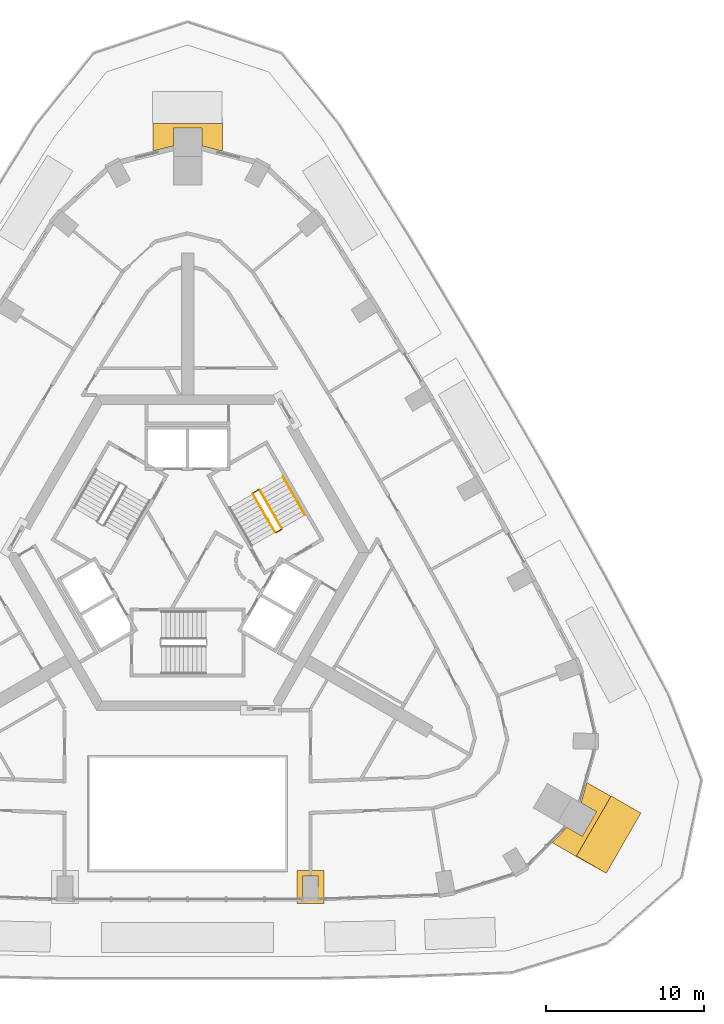
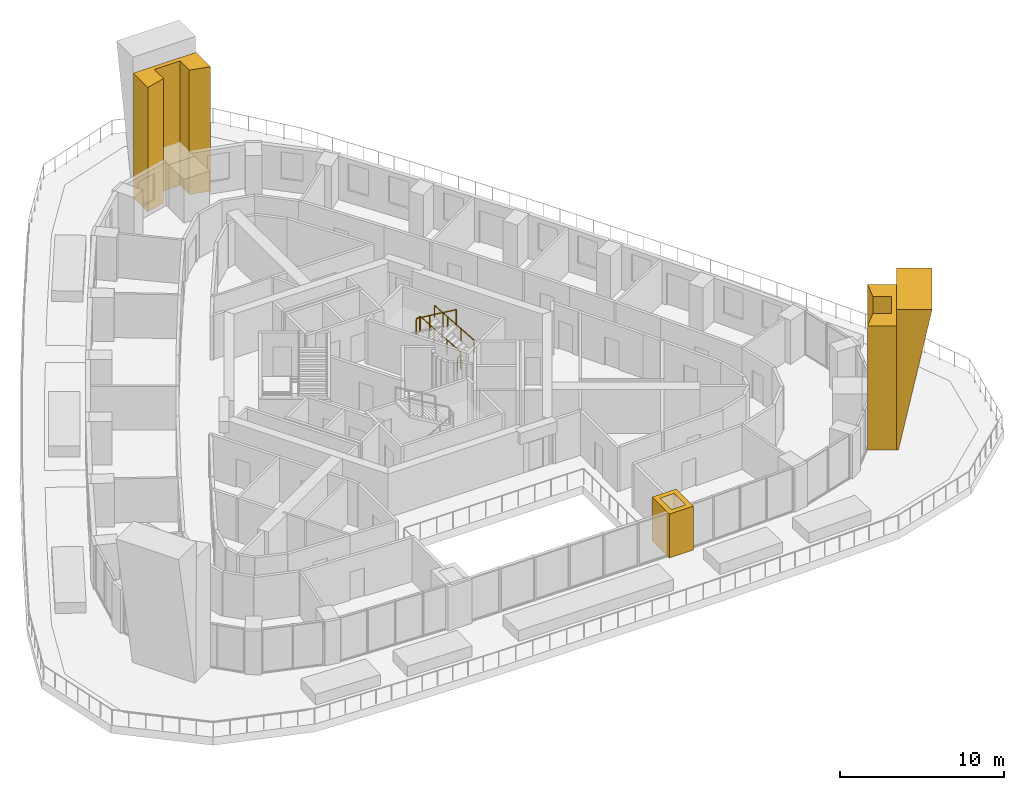
# One storey, part 13 of 14: 5 railings, 4 coverings.
"""IFC4 building model written with IfcOpenShell, lengths in metres."""

import ifcopenshell
import ifcopenshell.guid

model = None  # the IFC model being written
_history = None  # IfcOwnerHistory: only IFC2X3 demands one
_inside = {}  # id of a spatial element -> (the spatial element, [elements in it])
_under = {}  # id of a project, library or spatial element -> (it, [spatial elements below it])
_declared = {}  # id of a project -> (the project, [libraries it declares])
_typed = {}  # id of a type object -> (the type object, [elements of that type])
_made_of = {}  # id of a material, layer set ... -> (it, [elements and type objects made of it])


def new_model(schema):
    """Start an empty IFC model of exactly this schema.

    Asked for "IFC4X3", IfcOpenShell would pick the latest addendum, in which some entities
    have other attributes; the version numbers below select the first issue.
    IFC2X3 requires an IfcOwnerHistory on every rooted entity: one is made here for all.
    """
    global model, _history
    if schema == "IFC4X3":
        model = ifcopenshell.file(schema_version=(4, 3, 0, 0))
    else:
        model = ifcopenshell.file(schema=schema)
    _inside.clear()
    _under.clear()
    _declared.clear()
    _typed.clear()
    _made_of.clear()
    _history = None
    if model.schema == "IFC2X3":
        org = make("IfcOrganization", Name="unknown")
        user = make(
            "IfcPersonAndOrganization",
            ThePerson=make("IfcPerson", FamilyName="unknown"),
            TheOrganization=org,
        )
        app = make(
            "IfcApplication",
            ApplicationDeveloper=org,
            Version="unknown",
            ApplicationFullName="unknown",
            ApplicationIdentifier="unknown",
        )
        _history = make(
            "IfcOwnerHistory",
            OwningUser=user,
            OwningApplication=app,
            ChangeAction="ADDED",
            CreationDate=0,
        )
    return model


def make(cls, **values):
    """One entity of the class cls with the attributes given. An attribute that is None is left unset."""
    return model.create_entity(
        cls, **{name: value for name, value in values.items() if value is not None}
    )


def rooted(cls, **values):
    """An entity with a GlobalId (a new one), such as an element, a storey or a relation."""
    return make(cls, GlobalId=ifcopenshell.guid.new(), OwnerHistory=_history, **values)


def si_unit(unit_type, name, prefix=None):
    """IfcSIUnit, for example si_unit("LENGTHUNIT", "METRE", prefix="MILLI")."""
    return make("IfcSIUnit", UnitType=unit_type, Prefix=prefix, Name=name)


def assignment(units):
    """IfcUnitAssignment: the units of a project."""
    return None if units is None else make("IfcUnitAssignment", Units=units)


def point(xyz):
    """IfcCartesianPoint."""
    return None if xyz is None else make("IfcCartesianPoint", Coordinates=xyz)


def direction(xyz):
    """IfcDirection."""
    return None if xyz is None else make("IfcDirection", DirectionRatios=xyz)


def frame(location, z_axis=None, x_axis=None):
    """IfcAxis2Placement3D, a coordinate frame: its origin and axes. An axis left out is left unset."""
    return make(
        "IfcAxis2Placement3D",
        Location=point(location),
        Axis=direction(z_axis),
        RefDirection=direction(x_axis),
    )


def frame_2d(location, x_axis=None):
    """IfcAxis2Placement2D, a coordinate frame in the plane: its origin and x axis."""
    return make(
        "IfcAxis2Placement2D", Location=point(location), RefDirection=direction(x_axis)
    )


def origin():
    """The frame at (0, 0, 0) with its axes left unset."""
    return frame((0.0, 0.0, 0.0))


def origin_2d():
    """The frame at (0, 0) in the plane with its x axis left unset."""
    return frame_2d((0.0, 0.0))


def place(relative_to, where):
    """IfcLocalPlacement: puts the frame where relative to a parent placement (None: the world)."""
    return make(
        "IfcLocalPlacement", PlacementRelTo=relative_to, RelativePlacement=where
    )


def context(
    kind, dimensions, precision=None, world=None, true_north=None, identifier=None
):
    """IfcGeometricRepresentationContext, for example the 3D "Model" context."""
    return make(
        "IfcGeometricRepresentationContext",
        ContextIdentifier=identifier,
        ContextType=kind,
        CoordinateSpaceDimension=dimensions,
        Precision=precision,
        WorldCoordinateSystem=world,
        TrueNorth=true_north,
    )


def subcontext(parent, identifier, kind, view, scale=None):
    """IfcGeometricRepresentationSubContext, for example "Body" below "Model"."""
    return make(
        "IfcGeometricRepresentationSubContext",
        ContextIdentifier=identifier,
        ContextType=kind,
        ParentContext=parent,
        TargetScale=scale,
        TargetView=view,
    )


def project(units=None, contexts=None):
    """IfcProject with its units and contexts."""
    return rooted(
        "IfcProject",
        Name="project",
        RepresentationContexts=contexts,
        UnitsInContext=assignment(units),
    )


def spatial(cls, under=None, at=None, **own):
    """A site, building, storey or space (cls), placed at a placement, below another one or the project."""
    s = rooted(cls, ObjectPlacement=at, **own)
    if under is not None:
        _under.setdefault(under.id(), (under, []))[1].append(s)
    return s


def polyline(points):
    """IfcPolyline through the points."""
    return make("IfcPolyline", Points=[point(p) for p in points])


def profile(cls, at=None, kind="AREA", **sizes):
    """A parametric profile (cls). Its sizes go by their IFC names, for example OverallWidth=200.0."""
    return make(cls, ProfileType=kind, Position=at, **sizes)


def circle(**sizes):
    """IfcCircleProfileDef."""
    return profile("IfcCircleProfileDef", **sizes)


def outline(outer, holes=None, kind="AREA"):
    """IfcArbitraryClosedProfileDef: a profile drawn as a closed curve; with holes, ...WithVoids."""
    if holes is None:
        return make("IfcArbitraryClosedProfileDef", ProfileType=kind, OuterCurve=outer)
    return make(
        "IfcArbitraryProfileDefWithVoids",
        ProfileType=kind,
        OuterCurve=outer,
        InnerCurves=holes,
    )


def extrude(swept, where, along, depth):
    """IfcExtrudedAreaSolid: the profile swept, set in the frame where, extruded along a direction by depth."""
    return make(
        "IfcExtrudedAreaSolid",
        SweptArea=swept,
        Position=where,
        ExtrudedDirection=direction(along),
        Depth=depth,
    )


def shape(context_of_items, identifier, shape_type, items):
    """IfcShapeRepresentation: the items that make up one representation, for example the "Body"."""
    return make(
        "IfcShapeRepresentation",
        ContextOfItems=context_of_items,
        RepresentationIdentifier=identifier,
        RepresentationType=shape_type,
        Items=items,
    )


def material(Name=None, Category=None):
    """IfcMaterial."""
    return make("IfcMaterial", Name=Name, Category=Category)


def made_of(thing, what):
    """Note that an element or type object is made of a material, layer set ...; save() writes the relation."""
    if what is not None:
        _made_of.setdefault(what.id(), (what, []))[1].append(thing)
    return thing


def type_object(cls, material=None, **own):
    """A type object (cls), such as IfcWallType, which elements share."""
    return made_of(rooted(cls, **own), material)


def element(
    cls,
    number,
    at=None,
    inside=None,
    cuts=None,
    type_object=None,
    material=None,
    context=None,
    identifier="Body",
    shape_type=None,
    held_by="IfcProductDefinitionShape",
    body=None,
    shapes=None,
    **own,
):
    """One element of the class cls, such as IfcWall. Its Tag is "e" and its number.

    at: its placement. inside: the storey or other place that contains it. cuts: it is an
    opening in that element (IfcRelVoidsElement). A single representation is given by context,
    identifier, shape_type and body (its items); several are given by shapes. held_by: the class
    of the entity that holds the representations. save() writes the other relations.
    """
    e = rooted(cls, Tag="e%d" % number, ObjectPlacement=at, **own)
    if body is not None:
        shapes = [shape(context, identifier, shape_type, body)]
    if shapes is not None:
        e.Representation = make(held_by, Representations=shapes)
    if inside is not None:
        _inside.setdefault(inside.id(), (inside, []))[1].append(e)
    if cuts is not None:
        rooted(
            "IfcRelVoidsElement", RelatingBuildingElement=cuts, RelatedOpeningElement=e
        )
    if type_object is not None:
        _typed.setdefault(type_object.id(), (type_object, []))[1].append(e)
    return made_of(e, material)


def aggregate(whole, parts):
    """IfcRelAggregates: a whole, such as a stair, and the parts it consists of."""
    return rooted("IfcRelAggregates", RelatingObject=whole, RelatedObjects=parts)


def save(model, path):
    """Write the relations noted so far, then the file.

    IfcRelAggregates (storeys below a building ...), IfcRelContainedInSpatialStructure (elements
    in a storey), IfcRelDefinesByType, IfcRelAssociatesMaterial and IfcRelDeclares: one each for
    every whole, place, type object, material and project.
    """
    for whole, parts in _under.values():
        aggregate(whole, parts)
    for where, things in _inside.values():
        rooted(
            "IfcRelContainedInSpatialStructure",
            RelatedElements=things,
            RelatingStructure=where,
        )
    for kind, things in _typed.values():
        rooted("IfcRelDefinesByType", RelatedObjects=things, RelatingType=kind)
    for what, things in _made_of.values():
        rooted("IfcRelAssociatesMaterial", RelatedObjects=things, RelatingMaterial=what)
    for by, libraries in _declared.values():
        rooted("IfcRelDeclares", RelatingContext=by, RelatedDefinitions=libraries)
    model.write(path)


model = new_model("IFC4")

# Units and contexts
model_context = context("Model", 3, precision=1e-05, world=origin(), true_north=direction((0.0, 1.0)))
body_context = subcontext(model_context, "Body", "Model", "MODEL_VIEW")
ifc_project = project(units=[si_unit("LENGTHUNIT", "METRE"), si_unit("AREAUNIT", "SQUARE_METRE"), si_unit("VOLUMEUNIT", "CUBIC_METRE"), si_unit("PLANEANGLEUNIT", "RADIAN"), si_unit("MASSUNIT", "GRAM", prefix="KILO")], contexts=[model_context])

# Site, building, storey
site_placement = place(None, origin())
site = spatial("IfcSite", under=ifc_project, at=site_placement, CompositionType="ELEMENT")
building_placement = place(site_placement, origin())
building = spatial("IfcBuilding", under=site, at=building_placement, Name="Entoto Arch Interchange Tower", CompositionType="ELEMENT")
storey_placement = place(building_placement, frame((0.0, 0.0, 241.39990234375)))
storey = spatial("IfcBuildingStorey", under=building, at=storey_placement, Name="L54", CompositionType="ELEMENT", Elevation=241.39990234375)

# Coverings
ifc_material_1 = material(Name="Board-marked precast concrete C50/60", Category="concrete")
covering_type = type_object("IfcCoveringType", Name="PRECAST FRAME COURSE", PredefinedType="CLADDING", material=ifc_material_1)
covering_1_placement = place(storey_placement, origin())
element("IfcCovering", 1, at=covering_1_placement, inside=storey, type_object=covering_type, Name="Corner pilaster SE L54-L56", PredefinedType="CLADDING", context=body_context, shape_type="SweptSolid", body=[
    extrude(outline(polyline([(26.845947265625, -12.9599609375), (24.64599609375, -16.77001953125), (23.1220703125, -15.889892578125), (24.05810546875, -14.929931640625), (25.035888671875, -15.493896484375), (25.93603515625, -13.93603515625), (24.9580078125, -13.37109375), (25.322021484375, -12.080078125), (26.845947265625, -12.9599609375)])), origin(), (0.0, 0.0, 1.0), 9.260009765625),
])
covering_2_placement = place(storey_placement, origin())
element("IfcCovering", 2, at=covering_2_placement, inside=storey, type_object=covering_type, Name="Corner pilaster N L54-L56", PredefinedType="CLADDING", context=body_context, shape_type="SweptSolid", body=[
    extrude(outline(polyline([(-2.199951171875, 29.72900390625), (2.199951171875, 29.72900390625), (2.199951171875, 27.968994140625), (0.89990234375, 28.300048828125), (0.89990234375, 29.428955078125), (-0.89990234375, 29.428955078125), (-0.89990234375, 28.300048828125), (-2.199951171875, 27.968994140625), (-2.199951171875, 29.72900390625)])), origin(), (0.0, 0.0, 1.0), 9.260009765625),
])
covering_3_placement = place(storey_placement, frame((24.64599609375, -16.77001953125, 0.0), z_axis=(-0.499760092259, -0.866158731023, 0.002983765648), x_axis=(0.866162598449, -0.499762296482, 7.902188e-06)))
element("IfcCovering", 3, at=covering_3_placement, inside=storey, type_object=covering_type, Name="Corner rib SE L54-L56", PredefinedType="CLADDING", context=body_context, shape_type="SweptSolid", body=[
    extrude(outline(polyline([(0.0, 0.0), (0.11876540339215946, 2.710505431213761e-20), (2.179209476034496, 10.460234421021081), (0.0004960170448699017, 10.46025257621087), (0.0, 0.0)])), origin(), (0.0, 0.0, -1.0), 4.39990234375),
])
covering_4_placement = place(storey_placement, origin())
element("IfcCovering", 4, at=covering_4_placement, inside=storey, type_object=covering_type, Name="Gate pier L54", PredefinedType="CLADDING", context=body_context, shape_type="SweptSolid", body=[
    extrude(outline(polyline([(6.93408203125, -17.657958984375), (8.634033203125, -17.657958984375), (8.634033203125, -19.758056640625), (6.93408203125, -19.758056640625), (6.93408203125, -17.657958984375)]), holes=[polyline([(7.283935546875, -18.008056640625), (7.283935546875, -19.407958984375), (8.283935546875, -19.407958984375), (8.283935546875, -18.008056640625), (7.283935546875, -18.008056640625)])]), origin(), (0.0, 0.0, 1.0), 3.260009765625),
])

# Railings
ifc_material_2 = material(Name="Stainless steel 1.4301", Category="steel")
railing_type_1 = type_object("IfcRailingType", Name="STAIR GUARD 1100 STEEL", PredefinedType="GUARDRAIL", material=ifc_material_2)
railing_1_placement = place(storey_placement, frame((5.977783203125, 4.046142578125, 0.163818359375)))
element("IfcRailing", 5, at=railing_1_placement, inside=storey, type_object=railing_type_1, Name="L54 ST-NE stair guard 1", PredefinedType="GUARDRAIL", context=body_context, shape_type="SweptSolid", body=[
    extrude(circle(Radius=0.02392578125, at=origin_2d()), frame((0.0, 0.0, 1.076171875), z_axis=(-0.431677027627, 0.74771821388, 0.504551698492), x_axis=(-0.866034573852, -0.49998411664, 0.0)), (0.0, 0.0, 1.0), 3.242919921875),
    extrude(circle(Radius=0.02099609375, at=origin_2d()), origin(), (0.0, 0.0, 1.0), 1.052001953125),
    extrude(circle(Radius=0.02099609375, at=origin_2d()), frame((-0.466552734375, 0.808349609375, 0.54541015625)), (0.0, 0.0, 1.0), 1.052001953125),
    extrude(circle(Radius=0.02099609375, at=origin_2d()), frame((-0.933349609375, 1.616455078125, 1.0908203125)), (0.0, 0.0, 1.0), 1.052001953125),
    extrude(circle(Radius=0.02099609375, at=origin_2d()), frame((-1.39990234375, 2.4248046875, 1.63623046875)), (0.0, 0.0, 1.0), 1.052001953125),
])
railing_2_placement = place(storey_placement, frame((4.509521484375, 6.4892578125, 1.800048828125)))
element("IfcRailing", 6, at=railing_2_placement, inside=storey, type_object=railing_type_1, Name="L54 ST-NE stair guard 2", PredefinedType="GUARDRAIL", context=body_context, shape_type="SweptSolid", body=[
    extrude(circle(Radius=0.02392578125, at=origin_2d()), frame((0.0, 0.0, 1.076171875), z_axis=(-0.866094119867, -0.499880961361, 0.0), x_axis=(0.499880961361, -0.866094119867, 0.0)), (0.0, 0.0, 1.0), 0.39990234375),
    extrude(circle(Radius=0.02099609375, at=origin_2d()), origin(), (0.0, 0.0, 1.0), 1.052001953125),
    extrude(circle(Radius=0.02099609375, at=origin_2d()), frame((-0.346435546875, -0.199951171875, 0.0)), (0.0, 0.0, 1.0), 1.052001953125),
])
railing_3_placement = place(storey_placement, frame((4.144775390625, 6.220947265625, 1.963623046875)))
element("IfcRailing", 7, at=railing_3_placement, inside=storey, type_object=railing_type_1, Name="L54 ST-NE stair guard 3", PredefinedType="GUARDRAIL", context=body_context, shape_type="SweptSolid", body=[
    extrude(circle(Radius=0.02392578125, at=origin_2d()), frame((0.0, 0.0, 1.076171875), z_axis=(0.431721881032, -0.747665513933, 0.504591415616), x_axis=(0.865996816683, 0.500049511043, 0.0)), (0.0, 0.0, 1.0), 3.2431640625),
    extrude(circle(Radius=0.02099609375, at=origin_2d()), origin(), (0.0, 0.0, 1.0), 1.052001953125),
    extrude(circle(Radius=0.02099609375, at=origin_2d()), frame((0.466796875, -0.808349609375, 0.54541015625)), (0.0, 0.0, 1.0), 1.052001953125),
    extrude(circle(Radius=0.02099609375, at=origin_2d()), frame((0.933349609375, -1.616455078125, 1.091064453125)), (0.0, 0.0, 1.0), 1.052001953125),
    extrude(circle(Radius=0.02099609375, at=origin_2d()), frame((1.400146484375, -2.4248046875, 1.636474609375)), (0.0, 0.0, 1.0), 1.052001953125),
])
railing_4_placement = place(storey_placement, frame((5.95947265625, 3.977783203125, 0.0)))
element("IfcRailing", 8, at=railing_4_placement, inside=storey, type_object=railing_type_1, Name="L54 ST-NE stair guard 4", PredefinedType="GUARDRAIL", context=body_context, shape_type="SweptSolid", body=[
    extrude(circle(Radius=0.02392578125, at=origin_2d()), frame((0.0, 0.0, 1.076171875), z_axis=(-0.866094119867, -0.499880961361, 0.0), x_axis=(0.499880961361, -0.866094119867, 0.0)), (0.0, 0.0, 1.0), 0.39990234375),
    extrude(circle(Radius=0.02099609375, at=origin_2d()), origin(), (0.0, 0.0, 1.0), 1.052001953125),
    extrude(circle(Radius=0.02099609375, at=origin_2d()), frame((-0.346435546875, -0.199951171875, 0.0)), (0.0, 0.0, 1.0), 1.052001953125),
])
railing_type_2 = type_object("IfcRailingType", Name="STAIR HANDRAIL 900 STEEL", PredefinedType="HANDRAIL", material=ifc_material_2)
railing_5_placement = place(storey_placement, frame((7.4501953125, 4.89599609375, 0.163818359375)))
element("IfcRailing", 9, at=railing_5_placement, inside=storey, type_object=railing_type_2, Name="L54 ST-NE stair handrail 1", PredefinedType="HANDRAIL", context=body_context, shape_type="SweptSolid", body=[
    extrude(circle(Radius=0.02392578125, at=origin_2d()), frame((0.0, 0.0, 0.8759765625), z_axis=(-0.431713979052, 0.747727106176, 0.504506902808), x_axis=(-0.866018616679, -0.500011755427, 0.0)), (0.0, 0.0, 1.0), 3.2431640625),
    extrude(circle(Radius=0.02099609375, at=origin_2d()), origin(), (0.0, 0.0, 1.0), 0.851806640625),
    extrude(circle(Radius=0.02099609375, at=origin_2d()), frame((-0.466796875, 0.808349609375, 0.54541015625)), (0.0, 0.0, 1.0), 0.851806640625),
    extrude(circle(Radius=0.02099609375, at=origin_2d()), frame((-0.933349609375, 1.61669921875, 1.0908203125)), (0.0, 0.0, 1.0), 0.851806640625),
    extrude(circle(Radius=0.02099609375, at=origin_2d()), frame((-1.400146484375, 2.425048828125, 1.63623046875)), (0.0, 0.0, 1.0), 0.851806640625),
])

save(model, "model.ifc")
